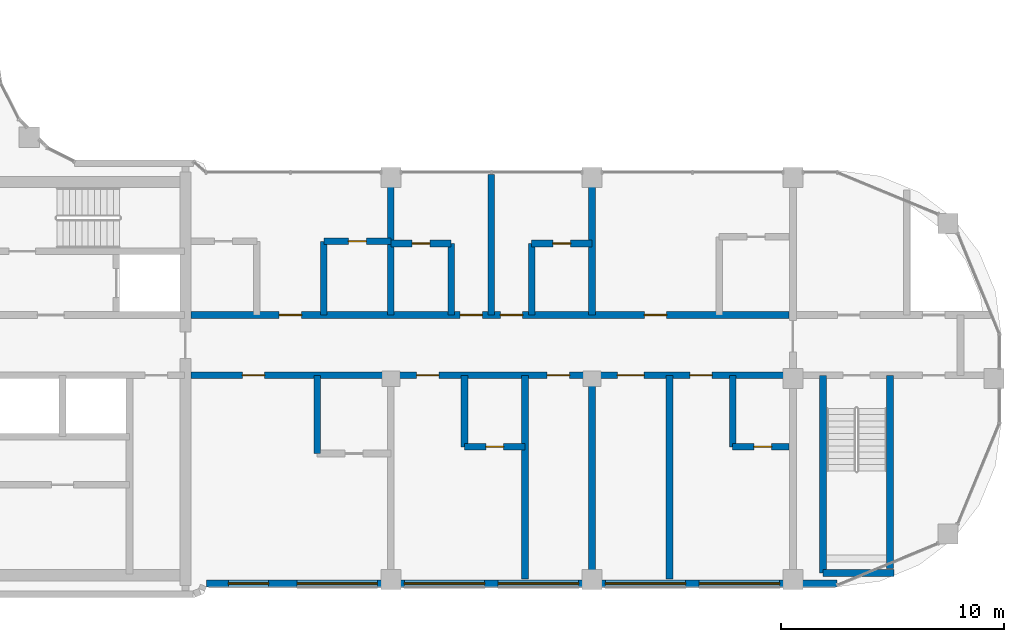
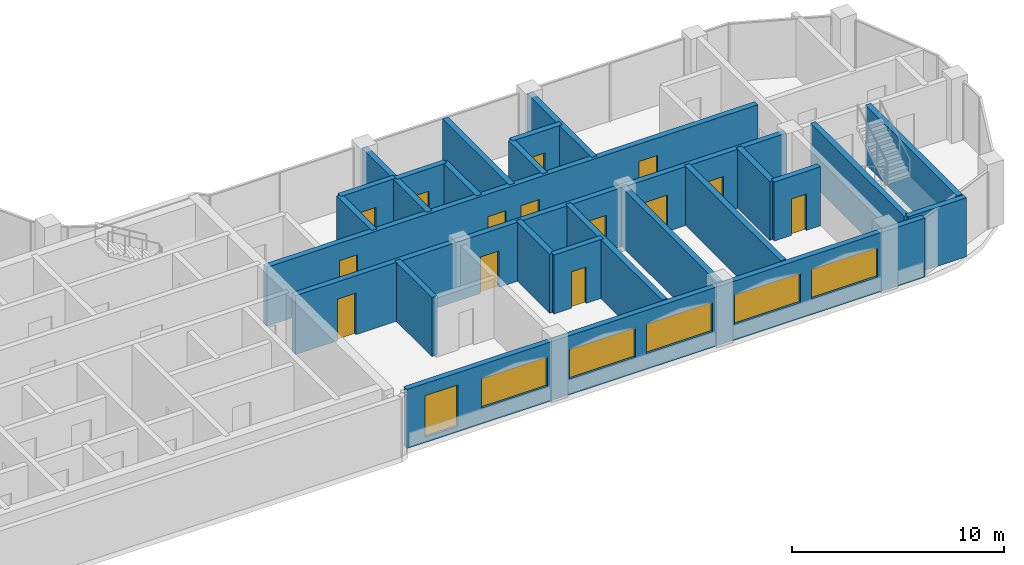
# One storey, part 11 of 17: 23 walls, 14 doors, 6 windows, 20 openings.
"""IFC4 building model written with IfcOpenShell, lengths in metres."""

from ifc_helpers import new_model, si_unit, direction, frame, frame_2d, origin, place, context, subcontext, project, spatial, rectangle, extrude, material, layer, layer_set, type_object, element, fill, save


model = new_model("IFC4")

# Units and contexts
model_context = context("Model", 3, precision=1e-05, world=origin(), true_north=direction((0.0, 1.0)))
body_context = subcontext(model_context, "Body", "Model", "MODEL_VIEW")
ifc_project = project(units=[si_unit("LENGTHUNIT", "METRE"), si_unit("AREAUNIT", "SQUARE_METRE"), si_unit("VOLUMEUNIT", "CUBIC_METRE"), si_unit("PLANEANGLEUNIT", "RADIAN"), si_unit("MASSUNIT", "GRAM", prefix="KILO")], contexts=[model_context])

# Site, building, storey
site_placement = place(None, origin())
site = spatial("IfcSite", under=ifc_project, at=site_placement, CompositionType="ELEMENT")
building_placement = place(site_placement, origin())
building = spatial("IfcBuilding", under=site, at=building_placement, Name="Ogive Portal Towers", CompositionType="ELEMENT")
storey_placement = place(building_placement, frame((0.0, 0.0, 221.699951171875)))
storey = spatial("IfcBuildingStorey", under=building, at=storey_placement, Name="L55", CompositionType="ELEMENT", Elevation=221.699951171875)

# Wall, openings, windows
ifc_material_1 = material(Name="Limestone cladding on lightweight block wall", Category="masonry")
ifc_layer_1 = layer(ifc_material_1, 0.300048828125)
ifc_layer_set_1 = layer_set([ifc_layer_1], Name="EXTERNAL WALL 300 STONE")
wall_type_1 = type_object("IfcWallType", Name="EXTERNAL WALL 300 STONE", PredefinedType="SOLIDWALL", material=ifc_layer_set_1)
wall_1_placement = place(storey_placement, frame((59.250244140625, 21.330078125, 0.0), z_axis=(0.0, 0.0, 1.0), x_axis=(1.0, 0.0, 0.0)))
wall_1 = element("IfcWall", 1, at=wall_1_placement, inside=storey, type_object=wall_type_1, Name="A:L55:f20:r0:wall", PredefinedType="SOLIDWALL", context=body_context, shape_type="SweptSolid", body=[
    extrude(rectangle(XDim=28.23388671875, YDim=0.300048828125, at=frame_2d((14.116943359375, 0.0))), origin(), (0.0, 0.0, 1.0), 3.400146484375),
])
opening_1_placement = place(wall_1_placement, frame((0.974853515625, 0.0, 0.300048828125)))
opening_1 = element("IfcOpeningElement", 2, at=opening_1_placement, cuts=wall_1, Name="Opening WN10", PredefinedType="OPENING", context=body_context, shape_type="SweptSolid", body=[
    extrude(rectangle(XDim=1.800048828125, YDim=2.39990234375, at=frame_2d((0.89990234375, 1.199951171875))), frame((0.0, 0.16015625, 0.0), z_axis=(0.0, -1.0, 0.0), x_axis=(1.0, 0.0, 0.0)), (0.0, 0.0, 1.0), 0.320068359375),
])
opening_2_placement = place(wall_1_placement, frame((4.0498046875, 0.0, 0.89990234375)))
opening_2 = element("IfcOpeningElement", 3, at=opening_2_placement, cuts=wall_1, Name="Opening WN14", PredefinedType="OPENING", context=body_context, shape_type="SweptSolid", body=[
    extrude(rectangle(XDim=3.60009765625, YDim=1.699951171875, at=frame_2d((1.800048828125, 0.85009765625))), frame((0.0, 0.16015625, 0.0), z_axis=(0.0, -1.0, 0.0), x_axis=(1.0, 0.0, 0.0)), (0.0, 0.0, 1.0), 0.320068359375),
])
opening_3_placement = place(wall_1_placement, frame((8.849609375, 0.0, 0.89990234375)))
opening_3 = element("IfcOpeningElement", 4, at=opening_3_placement, cuts=wall_1, Name="Opening WN14", PredefinedType="OPENING", context=body_context, shape_type="SweptSolid", body=[
    extrude(rectangle(XDim=3.60009765625, YDim=1.699951171875, at=frame_2d((1.800048828125, 0.85009765625))), frame((0.0, 0.16015625, 0.0), z_axis=(0.0, -1.0, 0.0), x_axis=(1.0, 0.0, 0.0)), (0.0, 0.0, 1.0), 0.320068359375),
])
opening_4_placement = place(wall_1_placement, frame((13.0498046875, 0.0, 0.89990234375)))
opening_4 = element("IfcOpeningElement", 5, at=opening_4_placement, cuts=wall_1, Name="Opening WN14", PredefinedType="OPENING", context=body_context, shape_type="SweptSolid", body=[
    extrude(rectangle(XDim=3.60009765625, YDim=1.699951171875, at=frame_2d((1.800048828125, 0.85009765625))), frame((0.0, 0.16015625, 0.0), z_axis=(0.0, -1.0, 0.0), x_axis=(1.0, 0.0, 0.0)), (0.0, 0.0, 1.0), 0.320068359375),
])
opening_5_placement = place(wall_1_placement, frame((17.849609375, 0.0, 0.89990234375)))
opening_5 = element("IfcOpeningElement", 6, at=opening_5_placement, cuts=wall_1, Name="Opening WN14", PredefinedType="OPENING", context=body_context, shape_type="SweptSolid", body=[
    extrude(rectangle(XDim=3.60009765625, YDim=1.699951171875, at=frame_2d((1.800048828125, 0.85009765625))), frame((0.0, 0.16015625, 0.0), z_axis=(0.0, -1.0, 0.0), x_axis=(1.0, 0.0, 0.0)), (0.0, 0.0, 1.0), 0.320068359375),
])
opening_6_placement = place(wall_1_placement, frame((22.0498046875, 0.0, 0.89990234375)))
opening_6 = element("IfcOpeningElement", 7, at=opening_6_placement, cuts=wall_1, Name="Opening WN14", PredefinedType="OPENING", context=body_context, shape_type="SweptSolid", body=[
    extrude(rectangle(XDim=3.60009765625, YDim=1.699951171875, at=frame_2d((1.800048828125, 0.85009765625))), frame((0.0, 0.16015625, 0.0), z_axis=(0.0, -1.0, 0.0), x_axis=(1.0, 0.0, 0.0)), (0.0, 0.0, 1.0), 0.320068359375),
])
ifc_material_2 = material(Name="Glass, clear low-iron insulated glazing", Category="glass")
window_type_1 = type_object("IfcWindowType", Name="WINDOW RIBBON LANCET 3600x1700", PartitioningType="TRIPLE_PANEL_VERTICAL", PredefinedType="WINDOW", material=ifc_material_2)
window_1_placement = place(opening_2_placement, origin())
window_1 = element("IfcWindow", 8, at=window_1_placement, inside=storey, type_object=window_type_1, Name="A:L55:f20:r0:w1", OverallHeight=1.699951171875, OverallWidth=3.60009765625, PartitioningType="SINGLE_PANEL", PredefinedType="WINDOW", context=body_context, shape_type="SweptSolid", body=[
    extrude(rectangle(XDim=3.60009765625, YDim=1.699951171875, at=frame_2d((1.800048828125, 0.85009765625))), frame((0.0, 0.030029296875, 0.0), z_axis=(0.0, -1.0, 0.0), x_axis=(1.0, 0.0, 0.0)), (0.0, 0.0, 1.0), 0.06005859375),
])
fill(opening_2, window_1)
window_2_placement = place(opening_3_placement, origin())
window_2 = element("IfcWindow", 9, at=window_2_placement, inside=storey, type_object=window_type_1, Name="A:L55:f20:r0:w2", OverallHeight=1.699951171875, OverallWidth=3.60009765625, PartitioningType="SINGLE_PANEL", PredefinedType="WINDOW", context=body_context, shape_type="SweptSolid", body=[
    extrude(rectangle(XDim=3.60009765625, YDim=1.699951171875, at=frame_2d((1.800048828125, 0.85009765625))), frame((0.0, 0.030029296875, 0.0), z_axis=(0.0, -1.0, 0.0), x_axis=(1.0, 0.0, 0.0)), (0.0, 0.0, 1.0), 0.06005859375),
])
fill(opening_3, window_2)
window_3_placement = place(opening_4_placement, origin())
window_3 = element("IfcWindow", 10, at=window_3_placement, inside=storey, type_object=window_type_1, Name="A:L55:f20:r0:w3", OverallHeight=1.699951171875, OverallWidth=3.60009765625, PartitioningType="SINGLE_PANEL", PredefinedType="WINDOW", context=body_context, shape_type="SweptSolid", body=[
    extrude(rectangle(XDim=3.60009765625, YDim=1.699951171875, at=frame_2d((1.800048828125, 0.85009765625))), frame((0.0, 0.030029296875, 0.0), z_axis=(0.0, -1.0, 0.0), x_axis=(1.0, 0.0, 0.0)), (0.0, 0.0, 1.0), 0.06005859375),
])
fill(opening_4, window_3)
window_4_placement = place(opening_5_placement, origin())
window_4 = element("IfcWindow", 11, at=window_4_placement, inside=storey, type_object=window_type_1, Name="A:L55:f20:r0:w4", OverallHeight=1.699951171875, OverallWidth=3.60009765625, PartitioningType="SINGLE_PANEL", PredefinedType="WINDOW", context=body_context, shape_type="SweptSolid", body=[
    extrude(rectangle(XDim=3.60009765625, YDim=1.699951171875, at=frame_2d((1.800048828125, 0.85009765625))), frame((0.0, 0.030029296875, 0.0), z_axis=(0.0, -1.0, 0.0), x_axis=(1.0, 0.0, 0.0)), (0.0, 0.0, 1.0), 0.06005859375),
])
fill(opening_5, window_4)
window_5_placement = place(opening_6_placement, origin())
window_5 = element("IfcWindow", 12, at=window_5_placement, inside=storey, type_object=window_type_1, Name="A:L55:f20:r0:w5", OverallHeight=1.699951171875, OverallWidth=3.60009765625, PartitioningType="SINGLE_PANEL", PredefinedType="WINDOW", context=body_context, shape_type="SweptSolid", body=[
    extrude(rectangle(XDim=3.60009765625, YDim=1.699951171875, at=frame_2d((1.800048828125, 0.85009765625))), frame((0.0, 0.030029296875, 0.0), z_axis=(0.0, -1.0, 0.0), x_axis=(1.0, 0.0, 0.0)), (0.0, 0.0, 1.0), 0.06005859375),
])
fill(opening_6, window_5)
window_type_2 = type_object("IfcWindowType", Name="WINDOW SUITE CORNER 1800x2400", PartitioningType="DOUBLE_PANEL_VERTICAL", PredefinedType="WINDOW", material=ifc_material_2)
window_6_placement = place(opening_1_placement, origin())
window_6 = element("IfcWindow", 13, at=window_6_placement, inside=storey, type_object=window_type_2, Name="A:L55:f20:r0:w0", OverallHeight=2.39990234375, OverallWidth=1.800048828125, PartitioningType="SINGLE_PANEL", PredefinedType="WINDOW", context=body_context, shape_type="SweptSolid", body=[
    extrude(rectangle(XDim=1.800048828125, YDim=2.39990234375, at=frame_2d((0.89990234375, 1.199951171875))), frame((0.0, 0.030029296875, 0.0), z_axis=(0.0, -1.0, 0.0), x_axis=(1.0, 0.0, 0.0)), (0.0, 0.0, 1.0), 0.06005859375),
])
fill(opening_1, window_6)

# Walls
ifc_material_3 = material(Name="Concrete C50/60", Category="concrete")
ifc_layer_2 = layer(ifc_material_3, 0.300048828125)
ifc_layer_set_2 = layer_set([ifc_layer_2], Name="STAIR WALL 300 C50")
wall_type_2 = type_object("IfcWallType", Name="STAIR WALL 300 C50", PredefinedType="SHEAR", material=ifc_layer_set_2)
wall_2_placement = place(storey_placement, frame((86.85009765625, 21.800048828125, 0.0), z_axis=(0.0, 0.0, 1.0), x_axis=(1.0, 0.0, 0.0)))
element("IfcWall", 14, at=wall_2_placement, inside=storey, type_object=wall_type_2, Name="Stair wall ST-A4 L55", PredefinedType="SHEAR", context=body_context, shape_type="SweptSolid", body=[
    extrude(rectangle(XDim=3.16796875, YDim=0.300048828125, at=frame_2d((1.583984375, 0.0))), origin(), (0.0, 0.0, 1.0), 3.400146484375),
])
wall_3_placement = place(storey_placement, frame((86.85009765625, 21.800048828125, 0.0), z_axis=(0.0, 0.0, 1.0), x_axis=(0.0, 1.0, 0.0)))
element("IfcWall", 15, at=wall_3_placement, inside=storey, type_object=wall_type_2, Name="Stair wall ST-A4 L55", PredefinedType="SHEAR", context=body_context, shape_type="SweptSolid", body=[
    extrude(rectangle(XDim=8.849853515625, YDim=0.300048828125, at=frame_2d((4.4248046875, 0.0))), origin(), (0.0, 0.0, 1.0), 3.400146484375),
])
wall_4_placement = place(storey_placement, frame((89.85009765625, 21.9970703125, 0.0), z_axis=(0.0, 0.0, 1.0), x_axis=(0.0, 1.0, 0.0)))
element("IfcWall", 16, at=wall_4_placement, inside=storey, type_object=wall_type_2, Name="Stair wall ST-A4 L55", PredefinedType="SHEAR", context=body_context, shape_type="SweptSolid", body=[
    extrude(rectangle(XDim=8.65283203125, YDim=0.300048828125, at=frame_2d((4.326416015625, 0.0))), origin(), (0.0, 0.0, 1.0), 3.400146484375),
])

# Wall, openings, doors
ifc_material_4 = material(Name="Gypsum board partition on steel studs", Category="steel")
ifc_layer_3 = layer(ifc_material_4, 0.300048828125)
ifc_layer_set_3 = layer_set([ifc_layer_3], Name="WT-PART-300-EI 120")
wall_type_3 = type_object("IfcWallType", Name="WT-PART-300-EI 120", PredefinedType="PARTITIONING", material=ifc_layer_set_3)
wall_5_placement = place(storey_placement, frame((58.550048828125, 30.64990234375, 0.0), z_axis=(0.0, 0.0, 1.0), x_axis=(1.0, 0.0, 0.0)))
wall_5 = element("IfcWall", 17, at=wall_5_placement, inside=storey, type_object=wall_type_3, Name="Wall L55:w005", PredefinedType="PARTITIONING", context=body_context, shape_type="SweptSolid", body=[
    extrude(rectangle(XDim=26.780029296875, YDim=0.300048828125, at=frame_2d((13.39013671875, 0.0))), origin(), (0.0, 0.0, 1.0), 3.400146484375),
])
opening_7_placement = place(wall_5_placement, frame((2.300048828125, 0.0, 0.0)))
opening_7 = element("IfcOpeningElement", 18, at=opening_7_placement, cuts=wall_5, Name="Opening D24-029", PredefinedType="OPENING", context=body_context, shape_type="SweptSolid", body=[
    extrude(rectangle(XDim=1.0, YDim=2.39990234375, at=frame_2d((0.5, 1.199951171875))), frame((0.0, 0.16015625, 0.0), z_axis=(0.0, -1.0, 0.0), x_axis=(1.0, 0.0, 0.0)), (0.0, 0.0, 1.0), 0.320068359375),
])
opening_8_placement = place(wall_5_placement, frame((10.10009765625, 0.0, 0.0)))
opening_8 = element("IfcOpeningElement", 19, at=opening_8_placement, cuts=wall_5, Name="Opening D24-035", PredefinedType="OPENING", context=body_context, shape_type="SweptSolid", body=[
    extrude(rectangle(XDim=1.0, YDim=2.10009765625, at=frame_2d((0.5, 1.050048828125))), frame((0.0, 0.16015625, 0.0), z_axis=(0.0, -1.0, 0.0), x_axis=(1.0, 0.0, 0.0)), (0.0, 0.0, 1.0), 0.320068359375),
])
opening_9_placement = place(wall_5_placement, frame((15.949951171875, 0.0, 0.0)))
opening_9 = element("IfcOpeningElement", 20, at=opening_9_placement, cuts=wall_5, Name="Opening D24-036", PredefinedType="OPENING", context=body_context, shape_type="SweptSolid", body=[
    extrude(rectangle(XDim=1.0, YDim=2.10009765625, at=frame_2d((0.5, 1.050048828125))), frame((0.0, 0.16015625, 0.0), z_axis=(0.0, -1.0, 0.0), x_axis=(1.0, 0.0, 0.0)), (0.0, 0.0, 1.0), 0.320068359375),
])
opening_10_placement = place(wall_5_placement, frame((19.0849609375, 0.0, 0.0)))
opening_10 = element("IfcOpeningElement", 21, at=opening_10_placement, cuts=wall_5, Name="Opening D24-039", PredefinedType="OPENING", context=body_context, shape_type="SweptSolid", body=[
    extrude(rectangle(XDim=1.199951171875, YDim=2.10009765625, at=frame_2d((0.60009765625, 1.050048828125))), frame((0.0, 0.16015625, 0.0), z_axis=(0.0, -1.0, 0.0), x_axis=(1.0, 0.0, 0.0)), (0.0, 0.0, 1.0), 0.320068359375),
])
opening_11_placement = place(wall_5_placement, frame((22.3349609375, 0.0, 0.0)))
opening_11 = element("IfcOpeningElement", 22, at=opening_11_placement, cuts=wall_5, Name="Opening D24-041", PredefinedType="OPENING", context=body_context, shape_type="SweptSolid", body=[
    extrude(rectangle(XDim=1.0, YDim=2.10009765625, at=frame_2d((0.5, 1.050048828125))), frame((0.0, 0.16015625, 0.0), z_axis=(0.0, -1.0, 0.0), x_axis=(1.0, 0.0, 0.0)), (0.0, 0.0, 1.0), 0.320068359375),
])
ifc_material_5 = material(Name="Steel fire door", Category="steel")
door_type_1 = type_object("IfcDoorType", Name="DT-ENTRY-1000x2100-FD90S", OperationType="SINGLE_SWING_LEFT", PredefinedType="DOOR", material=ifc_material_5)
door_1_placement = place(opening_8_placement, origin())
door_1 = element("IfcDoor", 23, at=door_1_placement, inside=storey, type_object=door_type_1, Name="Door D24-035", OperationType="SINGLE_SWING_LEFT", OverallHeight=2.10009765625, OverallWidth=1.0, PredefinedType="DOOR", context=body_context, shape_type="SweptSolid", body=[
    extrude(rectangle(XDim=1.0, YDim=2.10009765625, at=frame_2d((0.5, 1.050048828125))), frame((0.0, 0.02490234375, 0.0), z_axis=(0.0, -1.0, 0.0), x_axis=(1.0, 0.0, 0.0)), (0.0, 0.0, 1.0), 0.050048828125),
])
fill(opening_8, door_1)
door_2_placement = place(opening_9_placement, origin())
door_2 = element("IfcDoor", 24, at=door_2_placement, inside=storey, type_object=door_type_1, Name="Door D24-036", OperationType="SINGLE_SWING_RIGHT", OverallHeight=2.10009765625, OverallWidth=1.0, PredefinedType="DOOR", context=body_context, shape_type="SweptSolid", body=[
    extrude(rectangle(XDim=1.0, YDim=2.10009765625, at=frame_2d((0.5, 1.050048828125))), frame((0.0, 0.02490234375, 0.0), z_axis=(0.0, -1.0, 0.0), x_axis=(1.0, 0.0, 0.0)), (0.0, 0.0, 1.0), 0.050048828125),
])
fill(opening_9, door_2)
door_3_placement = place(opening_11_placement, origin())
door_3 = element("IfcDoor", 25, at=door_3_placement, inside=storey, type_object=door_type_1, Name="Door D24-041", OperationType="SINGLE_SWING_LEFT", OverallHeight=2.10009765625, OverallWidth=1.0, PredefinedType="DOOR", context=body_context, shape_type="SweptSolid", body=[
    extrude(rectangle(XDim=1.0, YDim=2.10009765625, at=frame_2d((0.5, 1.050048828125))), frame((0.0, 0.02490234375, 0.0), z_axis=(0.0, -1.0, 0.0), x_axis=(1.0, 0.0, 0.0)), (0.0, 0.0, 1.0), 0.050048828125),
])
fill(opening_11, door_3)
door_type_2 = type_object("IfcDoorType", Name="DT-ENTRY-1000x2400-FD90S", OperationType="SINGLE_SWING_LEFT", PredefinedType="DOOR", material=ifc_material_5)
door_4_placement = place(opening_7_placement, origin())
door_4 = element("IfcDoor", 26, at=door_4_placement, inside=storey, type_object=door_type_2, Name="Door D24-029", OperationType="SINGLE_SWING_LEFT", OverallHeight=2.39990234375, OverallWidth=1.0, PredefinedType="DOOR", context=body_context, shape_type="SweptSolid", body=[
    extrude(rectangle(XDim=1.0, YDim=2.39990234375, at=frame_2d((0.5, 1.199951171875))), frame((0.0, 0.02490234375, 0.0), z_axis=(0.0, -1.0, 0.0), x_axis=(1.0, 0.0, 0.0)), (0.0, 0.0, 1.0), 0.050048828125),
])
fill(opening_7, door_4)
door_type_3 = type_object("IfcDoorType", Name="DT-ENTRY-1200x2100-FD90S", OperationType="SINGLE_SWING_LEFT", PredefinedType="DOOR", material=ifc_material_5)
door_5_placement = place(opening_10_placement, origin())
door_5 = element("IfcDoor", 27, at=door_5_placement, inside=storey, type_object=door_type_3, Name="Door D24-039", OperationType="SINGLE_SWING_RIGHT", OverallHeight=2.10009765625, OverallWidth=1.199951171875, PredefinedType="DOOR", context=body_context, shape_type="SweptSolid", body=[
    extrude(rectangle(XDim=1.199951171875, YDim=2.10009765625, at=frame_2d((0.60009765625, 1.050048828125))), frame((0.0, 0.02490234375, 0.0), z_axis=(0.0, -1.0, 0.0), x_axis=(1.0, 0.0, 0.0)), (0.0, 0.0, 1.0), 0.050048828125),
])
fill(opening_10, door_5)

wall_6_placement = place(storey_placement, frame((58.550048828125, 33.35009765625, 0.0), z_axis=(0.0, 0.0, 1.0), x_axis=(1.0, 0.0, 0.0)))
wall_6 = element("IfcWall", 28, at=wall_6_placement, inside=storey, type_object=wall_type_3, Name="Wall L55:w007", PredefinedType="PARTITIONING", context=body_context, shape_type="SweptSolid", body=[
    extrude(rectangle(XDim=26.780029296875, YDim=0.300048828125, at=frame_2d((13.39013671875, 0.0))), origin(), (0.0, 0.0, 1.0), 3.400146484375),
])
opening_12_placement = place(wall_6_placement, frame((3.949951171875, 0.0, 0.0)))
opening_12 = element("IfcOpeningElement", 29, at=opening_12_placement, cuts=wall_6, Name="Opening D24-027", PredefinedType="OPENING", context=body_context, shape_type="SweptSolid", body=[
    extrude(rectangle(XDim=1.0, YDim=2.39990234375, at=frame_2d((0.5, 1.199951171875))), frame((0.0, 0.16015625, 0.0), z_axis=(0.0, -1.0, 0.0), x_axis=(1.0, 0.0, 0.0)), (0.0, 0.0, 1.0), 0.320068359375),
])
opening_13_placement = place(wall_6_placement, frame((12.050048828125, 0.0, 0.0)))
opening_13 = element("IfcOpeningElement", 30, at=opening_13_placement, cuts=wall_6, Name="Opening D24-031", PredefinedType="OPENING", context=body_context, shape_type="SweptSolid", body=[
    extrude(rectangle(XDim=1.0, YDim=2.10009765625, at=frame_2d((0.5, 1.050048828125))), frame((0.0, 0.16015625, 0.0), z_axis=(0.0, -1.0, 0.0), x_axis=(1.0, 0.0, 0.0)), (0.0, 0.0, 1.0), 0.320068359375),
])
opening_14_placement = place(wall_6_placement, frame((13.85009765625, 0.0, 0.0)))
opening_14 = element("IfcOpeningElement", 31, at=opening_14_placement, cuts=wall_6, Name="Opening D24-033", PredefinedType="OPENING", context=body_context, shape_type="SweptSolid", body=[
    extrude(rectangle(XDim=1.0, YDim=2.10009765625, at=frame_2d((0.5, 1.050048828125))), frame((0.0, 0.16015625, 0.0), z_axis=(0.0, -1.0, 0.0), x_axis=(1.0, 0.0, 0.0)), (0.0, 0.0, 1.0), 0.320068359375),
])
opening_15_placement = place(wall_6_placement, frame((20.300048828125, 0.0, 0.0)))
opening_15 = element("IfcOpeningElement", 32, at=opening_15_placement, cuts=wall_6, Name="Opening D24-038", PredefinedType="OPENING", context=body_context, shape_type="SweptSolid", body=[
    extrude(rectangle(XDim=1.0, YDim=2.39990234375, at=frame_2d((0.5, 1.199951171875))), frame((0.0, 0.16015625, 0.0), z_axis=(0.0, -1.0, 0.0), x_axis=(1.0, 0.0, 0.0)), (0.0, 0.0, 1.0), 0.320068359375),
])
door_6_placement = place(opening_13_placement, origin())
door_6 = element("IfcDoor", 33, at=door_6_placement, inside=storey, type_object=door_type_1, Name="Door D24-031", OperationType="SINGLE_SWING_RIGHT", OverallHeight=2.10009765625, OverallWidth=1.0, PredefinedType="DOOR", context=body_context, shape_type="SweptSolid", body=[
    extrude(rectangle(XDim=1.0, YDim=2.10009765625, at=frame_2d((0.5, 1.050048828125))), frame((0.0, 0.02490234375, 0.0), z_axis=(0.0, -1.0, 0.0), x_axis=(1.0, 0.0, 0.0)), (0.0, 0.0, 1.0), 0.050048828125),
])
fill(opening_13, door_6)
door_7_placement = place(opening_14_placement, origin())
door_7 = element("IfcDoor", 34, at=door_7_placement, inside=storey, type_object=door_type_1, Name="Door D24-033", OperationType="SINGLE_SWING_LEFT", OverallHeight=2.10009765625, OverallWidth=1.0, PredefinedType="DOOR", context=body_context, shape_type="SweptSolid", body=[
    extrude(rectangle(XDim=1.0, YDim=2.10009765625, at=frame_2d((0.5, 1.050048828125))), frame((0.0, 0.02490234375, 0.0), z_axis=(0.0, -1.0, 0.0), x_axis=(1.0, 0.0, 0.0)), (0.0, 0.0, 1.0), 0.050048828125),
])
fill(opening_14, door_7)
door_8_placement = place(opening_12_placement, origin())
door_8 = element("IfcDoor", 35, at=door_8_placement, inside=storey, type_object=door_type_2, Name="Door D24-027", OperationType="SINGLE_SWING_LEFT", OverallHeight=2.39990234375, OverallWidth=1.0, PredefinedType="DOOR", context=body_context, shape_type="SweptSolid", body=[
    extrude(rectangle(XDim=1.0, YDim=2.39990234375, at=frame_2d((0.5, 1.199951171875))), frame((0.0, 0.02490234375, 0.0), z_axis=(0.0, -1.0, 0.0), x_axis=(1.0, 0.0, 0.0)), (0.0, 0.0, 1.0), 0.050048828125),
])
fill(opening_12, door_8)
door_9_placement = place(opening_15_placement, origin())
door_9 = element("IfcDoor", 36, at=door_9_placement, inside=storey, type_object=door_type_2, Name="Door D24-038", OperationType="SINGLE_SWING_LEFT", OverallHeight=2.39990234375, OverallWidth=1.0, PredefinedType="DOOR", context=body_context, shape_type="SweptSolid", body=[
    extrude(rectangle(XDim=1.0, YDim=2.39990234375, at=frame_2d((0.5, 1.199951171875))), frame((0.0, 0.02490234375, 0.0), z_axis=(0.0, -1.0, 0.0), x_axis=(1.0, 0.0, 0.0)), (0.0, 0.0, 1.0), 0.050048828125),
])
fill(opening_15, door_9)

# Wall, opening, door
ifc_layer_4 = layer(ifc_material_4, 0.300048828125)
ifc_layer_set_4 = layer_set([ifc_layer_4], Name="WT-PART-300-EI 60")
wall_type_4 = type_object("IfcWallType", Name="WT-PART-300-EI 60", PredefinedType="PARTITIONING", material=ifc_layer_set_4)
wall_7_placement = place(storey_placement, frame((70.800048828125, 27.449951171875, 0.0), z_axis=(0.0, 0.0, 1.0), x_axis=(1.0, 0.0, 0.0)))
wall_7 = element("IfcWall", 37, at=wall_7_placement, inside=storey, type_object=wall_type_4, Name="Wall L55:w003", PredefinedType="PARTITIONING", context=body_context, shape_type="SweptSolid", body=[
    extrude(rectangle(XDim=2.699951171875, YDim=0.300048828125, at=frame_2d((1.35009765625, 0.0))), origin(), (0.0, 0.0, 1.0), 3.400146484375),
])
opening_16_placement = place(wall_7_placement, frame((0.949951171875, 0.0, 0.0)))
opening_16 = element("IfcOpeningElement", 38, at=opening_16_placement, cuts=wall_7, Name="Opening D24-034", PredefinedType="OPENING", context=body_context, shape_type="SweptSolid", body=[
    extrude(rectangle(XDim=0.800048828125, YDim=2.10009765625, at=frame_2d((0.39990234375, 1.050048828125))), frame((0.0, 0.16015625, 0.0), z_axis=(0.0, -1.0, 0.0), x_axis=(1.0, 0.0, 0.0)), (0.0, 0.0, 1.0), 0.320068359375),
])
door_type_4 = type_object("IfcDoorType", Name="DT-BATH-800x2100-FD60S", OperationType="SINGLE_SWING_LEFT", PredefinedType="DOOR", material=ifc_material_5)
door_10_placement = place(opening_16_placement, origin())
door_10 = element("IfcDoor", 39, at=door_10_placement, inside=storey, type_object=door_type_4, Name="Door D24-034", OperationType="SINGLE_SWING_LEFT", OverallHeight=2.10009765625, OverallWidth=0.800048828125, PredefinedType="DOOR", context=body_context, shape_type="SweptSolid", body=[
    extrude(rectangle(XDim=0.800048828125, YDim=2.10009765625, at=frame_2d((0.39990234375, 1.050048828125))), frame((0.0, 0.02490234375, 0.0), z_axis=(0.0, -1.0, 0.0), x_axis=(1.0, 0.0, 0.0)), (0.0, 0.0, 1.0), 0.050048828125),
])
fill(opening_16, door_10)

wall_8_placement = place(storey_placement, frame((82.800048828125, 27.449951171875, 0.0), z_axis=(0.0, 0.0, 1.0), x_axis=(1.0, 0.0, 0.0)))
wall_8 = element("IfcWall", 40, at=wall_8_placement, inside=storey, type_object=wall_type_4, Name="Wall L55:w004", PredefinedType="PARTITIONING", context=body_context, shape_type="SweptSolid", body=[
    extrude(rectangle(XDim=2.530029296875, YDim=0.300048828125, at=frame_2d((1.26513671875, 0.0))), origin(), (0.0, 0.0, 1.0), 3.400146484375),
])
opening_17_placement = place(wall_8_placement, frame((0.949951171875, 0.0, 0.0)))
opening_17 = element("IfcOpeningElement", 41, at=opening_17_placement, cuts=wall_8, Name="Opening D24-040", PredefinedType="OPENING", context=body_context, shape_type="SweptSolid", body=[
    extrude(rectangle(XDim=0.800048828125, YDim=2.10009765625, at=frame_2d((0.39990234375, 1.050048828125))), frame((0.0, 0.16015625, 0.0), z_axis=(0.0, -1.0, 0.0), x_axis=(1.0, 0.0, 0.0)), (0.0, 0.0, 1.0), 0.320068359375),
])
door_11_placement = place(opening_17_placement, origin())
door_11 = element("IfcDoor", 42, at=door_11_placement, inside=storey, type_object=door_type_4, Name="Door D24-040", OperationType="SINGLE_SWING_LEFT", OverallHeight=2.10009765625, OverallWidth=0.800048828125, PredefinedType="DOOR", context=body_context, shape_type="SweptSolid", body=[
    extrude(rectangle(XDim=0.800048828125, YDim=2.10009765625, at=frame_2d((0.39990234375, 1.050048828125))), frame((0.0, 0.02490234375, 0.0), z_axis=(0.0, -1.0, 0.0), x_axis=(1.0, 0.0, 0.0)), (0.0, 0.0, 1.0), 0.050048828125),
])
fill(opening_17, door_11)

wall_9_placement = place(storey_placement, frame((67.5, 36.550048828125, 0.0), z_axis=(0.0, 0.0, 1.0), x_axis=(1.0, 0.0, 0.0)))
wall_9 = element("IfcWall", 43, at=wall_9_placement, inside=storey, type_object=wall_type_4, Name="Wall L55:w009", PredefinedType="PARTITIONING", context=body_context, shape_type="SweptSolid", body=[
    extrude(rectangle(XDim=2.699951171875, YDim=0.300048828125, at=frame_2d((1.35009765625, 0.0))), origin(), (0.0, 0.0, 1.0), 3.400146484375),
])
opening_18_placement = place(wall_9_placement, frame((0.949951171875, 0.0, 0.0)))
opening_18 = element("IfcOpeningElement", 44, at=opening_18_placement, cuts=wall_9, Name="Opening D24-030", PredefinedType="OPENING", context=body_context, shape_type="SweptSolid", body=[
    extrude(rectangle(XDim=0.800048828125, YDim=2.10009765625, at=frame_2d((0.39990234375, 1.050048828125))), frame((0.0, 0.16015625, 0.0), z_axis=(0.0, -1.0, 0.0), x_axis=(1.0, 0.0, 0.0)), (0.0, 0.0, 1.0), 0.320068359375),
])
door_12_placement = place(opening_18_placement, origin())
door_12 = element("IfcDoor", 45, at=door_12_placement, inside=storey, type_object=door_type_4, Name="Door D24-030", OperationType="SINGLE_SWING_LEFT", OverallHeight=2.10009765625, OverallWidth=0.800048828125, PredefinedType="DOOR", context=body_context, shape_type="SweptSolid", body=[
    extrude(rectangle(XDim=0.800048828125, YDim=2.10009765625, at=frame_2d((0.39990234375, 1.050048828125))), frame((0.0, 0.02490234375, 0.0), z_axis=(0.0, -1.0, 0.0), x_axis=(1.0, 0.0, 0.0)), (0.0, 0.0, 1.0), 0.050048828125),
])
fill(opening_18, door_12)

wall_10_placement = place(storey_placement, frame((73.800048828125, 36.550048828125, 0.0), z_axis=(0.0, 0.0, 1.0), x_axis=(1.0, 0.0, 0.0)))
wall_10 = element("IfcWall", 46, at=wall_10_placement, inside=storey, type_object=wall_type_4, Name="Wall L55:w010", PredefinedType="PARTITIONING", context=body_context, shape_type="SweptSolid", body=[
    extrude(rectangle(XDim=2.699951171875, YDim=0.300048828125, at=frame_2d((1.35009765625, 0.0))), origin(), (0.0, 0.0, 1.0), 3.400146484375),
])
opening_19_placement = place(wall_10_placement, frame((0.949951171875, 0.0, 0.0)))
opening_19 = element("IfcOpeningElement", 47, at=opening_19_placement, cuts=wall_10, Name="Opening D24-032", PredefinedType="OPENING", context=body_context, shape_type="SweptSolid", body=[
    extrude(rectangle(XDim=0.800048828125, YDim=2.10009765625, at=frame_2d((0.39990234375, 1.050048828125))), frame((0.0, 0.16015625, 0.0), z_axis=(0.0, -1.0, 0.0), x_axis=(1.0, 0.0, 0.0)), (0.0, 0.0, 1.0), 0.320068359375),
])
door_13_placement = place(opening_19_placement, origin())
door_13 = element("IfcDoor", 48, at=door_13_placement, inside=storey, type_object=door_type_4, Name="Door D24-032", OperationType="SINGLE_SWING_RIGHT", OverallHeight=2.10009765625, OverallWidth=0.800048828125, PredefinedType="DOOR", context=body_context, shape_type="SweptSolid", body=[
    extrude(rectangle(XDim=0.800048828125, YDim=2.10009765625, at=frame_2d((0.39990234375, 1.050048828125))), frame((0.0, 0.02490234375, 0.0), z_axis=(0.0, -1.0, 0.0), x_axis=(1.0, 0.0, 0.0)), (0.0, 0.0, 1.0), 0.050048828125),
])
fill(opening_19, door_13)

wall_11_placement = place(storey_placement, frame((64.5, 36.64990234375, 0.0), z_axis=(0.0, 0.0, 1.0), x_axis=(1.0, 0.0, 0.0)))
wall_11 = element("IfcWall", 49, at=wall_11_placement, inside=storey, type_object=wall_type_4, Name="Wall L55:w012", PredefinedType="PARTITIONING", context=body_context, shape_type="SweptSolid", body=[
    extrude(rectangle(XDim=3.0, YDim=0.300048828125, at=frame_2d((1.5, 0.0))), origin(), (0.0, 0.0, 1.0), 3.400146484375),
])
opening_20_placement = place(wall_11_placement, frame((1.10009765625, 0.0, 0.0)))
opening_20 = element("IfcOpeningElement", 50, at=opening_20_placement, cuts=wall_11, Name="Opening D24-026", PredefinedType="OPENING", context=body_context, shape_type="SweptSolid", body=[
    extrude(rectangle(XDim=0.800048828125, YDim=2.10009765625, at=frame_2d((0.39990234375, 1.050048828125))), frame((0.0, 0.16015625, 0.0), z_axis=(0.0, -1.0, 0.0), x_axis=(1.0, 0.0, 0.0)), (0.0, 0.0, 1.0), 0.320068359375),
])
door_14_placement = place(opening_20_placement, origin())
door_14 = element("IfcDoor", 51, at=door_14_placement, inside=storey, type_object=door_type_4, Name="Door D24-026", OperationType="SINGLE_SWING_RIGHT", OverallHeight=2.10009765625, OverallWidth=0.800048828125, PredefinedType="DOOR", context=body_context, shape_type="SweptSolid", body=[
    extrude(rectangle(XDim=0.800048828125, YDim=2.10009765625, at=frame_2d((0.39990234375, 1.050048828125))), frame((0.0, 0.02490234375, 0.0), z_axis=(0.0, -1.0, 0.0), x_axis=(1.0, 0.0, 0.0)), (0.0, 0.0, 1.0), 0.050048828125),
])
fill(opening_20, door_14)

# Walls
wall_12_placement = place(storey_placement, frame((64.199951171875, 27.14990234375, 0.0), z_axis=(0.0, 0.0, 1.0), x_axis=(0.0, 1.0, 0.0)))
element("IfcWall", 52, at=wall_12_placement, inside=storey, type_object=wall_type_4, Name="Wall L55:w029", PredefinedType="PARTITIONING", context=body_context, shape_type="SweptSolid", body=[
    extrude(rectangle(XDim=3.5, YDim=0.300048828125, at=frame_2d((1.75, 0.0))), origin(), (0.0, 0.0, 1.0), 3.400146484375),
])
wall_13_placement = place(storey_placement, frame((64.5, 33.35009765625, 0.0), z_axis=(0.0, 0.0, 1.0), x_axis=(0.0, 1.0, 0.0)))
element("IfcWall", 53, at=wall_13_placement, inside=storey, type_object=wall_type_4, Name="Wall L55:w030", PredefinedType="PARTITIONING", context=body_context, shape_type="SweptSolid", body=[
    extrude(rectangle(XDim=3.2998046875, YDim=0.300048828125, at=frame_2d((1.64990234375, 0.0))), origin(), (0.0, 0.0, 1.0), 3.400146484375),
])
wall_14_placement = place(storey_placement, frame((67.5, 33.35009765625, 0.0), z_axis=(0.0, 0.0, 1.0), x_axis=(0.0, 1.0, 0.0)))
element("IfcWall", 54, at=wall_14_placement, inside=storey, type_object=wall_type_4, Name="Wall L55:w032", PredefinedType="PARTITIONING", context=body_context, shape_type="SweptSolid", body=[
    extrude(rectangle(XDim=6.119873046875, YDim=0.300048828125, at=frame_2d((3.06005859375, 0.0))), origin(), (0.0, 0.0, 1.0), 3.400146484375),
])
for number, where, z_axis, x_axis, name in (
    (55, (70.199951171875, 33.35009765625, 0.0), (0.0, 0.0, 1.0), (0.0, 1.0, 0.0), "Wall L55:w033"),
    (56, (70.800048828125, 27.449951171875, 0.0), (0.0, 0.0, 1.0), (0.0, 1.0, 0.0), "Wall L55:w034"),
):
    element("IfcWall", number, at=place(storey_placement, frame(where, z_axis=z_axis, x_axis=x_axis)), inside=storey, type_object=wall_type_4, Name=name, PredefinedType="PARTITIONING", context=body_context, shape_type="SweptSolid", body=[
        extrude(rectangle(XDim=3.199951171875, YDim=0.300048828125, at=frame_2d((1.60009765625, 0.0))), origin(), (0.0, 0.0, 1.0), 3.400146484375),
    ])
wall_15_placement = place(storey_placement, frame((72.0, 33.35009765625, 0.0), z_axis=(0.0, 0.0, 1.0), x_axis=(0.0, 1.0, 0.0)))
element("IfcWall", 57, at=wall_15_placement, inside=storey, type_object=wall_type_4, Name="Wall L55:w035", PredefinedType="PARTITIONING", context=body_context, shape_type="SweptSolid", body=[
    extrude(rectangle(XDim=6.2998046875, YDim=0.300048828125, at=frame_2d((3.14990234375, 0.0))), origin(), (0.0, 0.0, 1.0), 3.400146484375),
])
wall_16_placement = place(storey_placement, frame((73.5, 21.530029296875, 0.0), z_axis=(0.0, 0.0, 1.0), x_axis=(0.0, 1.0, 0.0)))
element("IfcWall", 58, at=wall_16_placement, inside=storey, type_object=wall_type_4, Name="Wall L55:w036", PredefinedType="PARTITIONING", context=body_context, shape_type="SweptSolid", body=[
    extrude(rectangle(XDim=9.119873046875, YDim=0.300048828125, at=frame_2d((4.56005859375, 0.0))), origin(), (0.0, 0.0, 1.0), 3.400146484375),
])
wall_17_placement = place(storey_placement, frame((73.800048828125, 33.35009765625, 0.0), z_axis=(0.0, 0.0, 1.0), x_axis=(0.0, 1.0, 0.0)))
element("IfcWall", 59, at=wall_17_placement, inside=storey, type_object=wall_type_4, Name="Wall L55:w037", PredefinedType="PARTITIONING", context=body_context, shape_type="SweptSolid", body=[
    extrude(rectangle(XDim=3.199951171875, YDim=0.300048828125, at=frame_2d((1.60009765625, 0.0))), origin(), (0.0, 0.0, 1.0), 3.400146484375),
])
wall_18_placement = place(storey_placement, frame((76.5, 21.530029296875, 0.0), z_axis=(0.0, 0.0, 1.0), x_axis=(0.0, 1.0, 0.0)))
element("IfcWall", 60, at=wall_18_placement, inside=storey, type_object=wall_type_4, Name="Wall L55:w038", PredefinedType="PARTITIONING", context=body_context, shape_type="SweptSolid", body=[
    extrude(rectangle(XDim=9.119873046875, YDim=0.300048828125, at=frame_2d((4.56005859375, 0.0))), origin(), (0.0, 0.0, 1.0), 3.400146484375),
])
wall_19_placement = place(storey_placement, frame((76.5, 33.35009765625, 0.0), z_axis=(0.0, 0.0, 1.0), x_axis=(0.0, 1.0, 0.0)))
element("IfcWall", 61, at=wall_19_placement, inside=storey, type_object=wall_type_4, Name="Wall L55:w039", PredefinedType="PARTITIONING", context=body_context, shape_type="SweptSolid", body=[
    extrude(rectangle(XDim=6.119873046875, YDim=0.300048828125, at=frame_2d((3.06005859375, 0.0))), origin(), (0.0, 0.0, 1.0), 3.400146484375),
])
wall_20_placement = place(storey_placement, frame((79.969970703125, 21.530029296875, 0.0), z_axis=(0.0, 0.0, 1.0), x_axis=(0.0, 1.0, 0.0)))
element("IfcWall", 62, at=wall_20_placement, inside=storey, type_object=wall_type_4, Name="Wall L55:w040", PredefinedType="PARTITIONING", context=body_context, shape_type="SweptSolid", body=[
    extrude(rectangle(XDim=9.119873046875, YDim=0.300048828125, at=frame_2d((4.56005859375, 0.0))), origin(), (0.0, 0.0, 1.0), 3.400146484375),
])
wall_21_placement = place(storey_placement, frame((82.800048828125, 27.449951171875, 0.0), z_axis=(0.0, 0.0, 1.0), x_axis=(0.0, 1.0, 0.0)))
element("IfcWall", 63, at=wall_21_placement, inside=storey, type_object=wall_type_4, Name="Wall L55:w042", PredefinedType="PARTITIONING", context=body_context, shape_type="SweptSolid", body=[
    extrude(rectangle(XDim=3.199951171875, YDim=0.300048828125, at=frame_2d((1.60009765625, 0.0))), origin(), (0.0, 0.0, 1.0), 3.400146484375),
])

save(model, "model.ifc")
